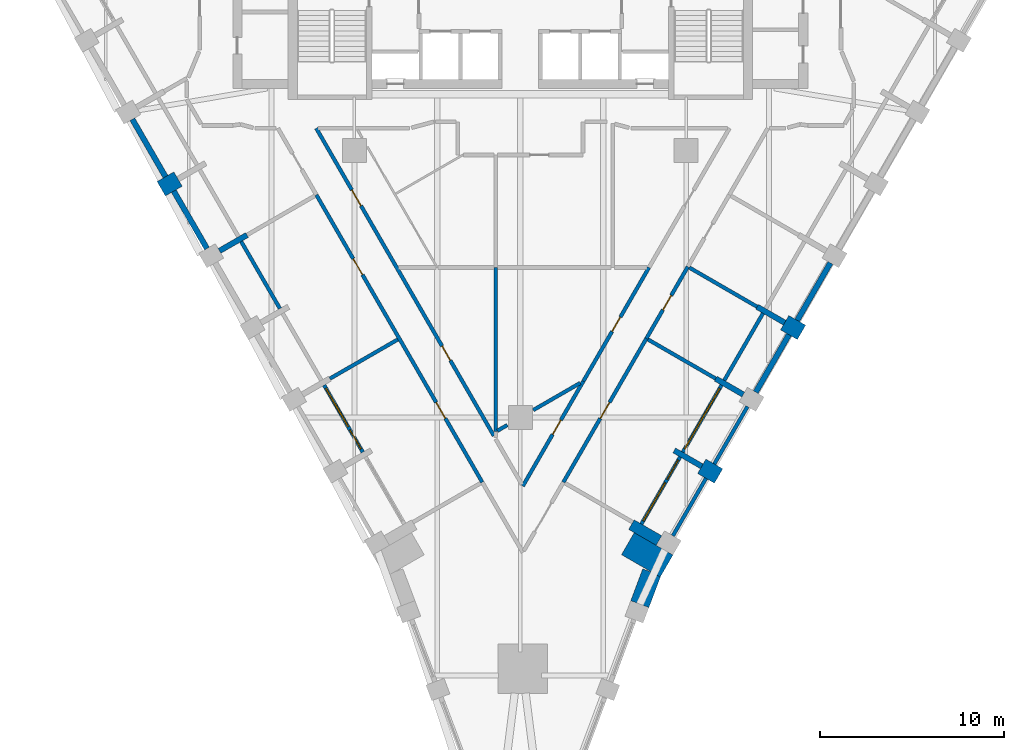
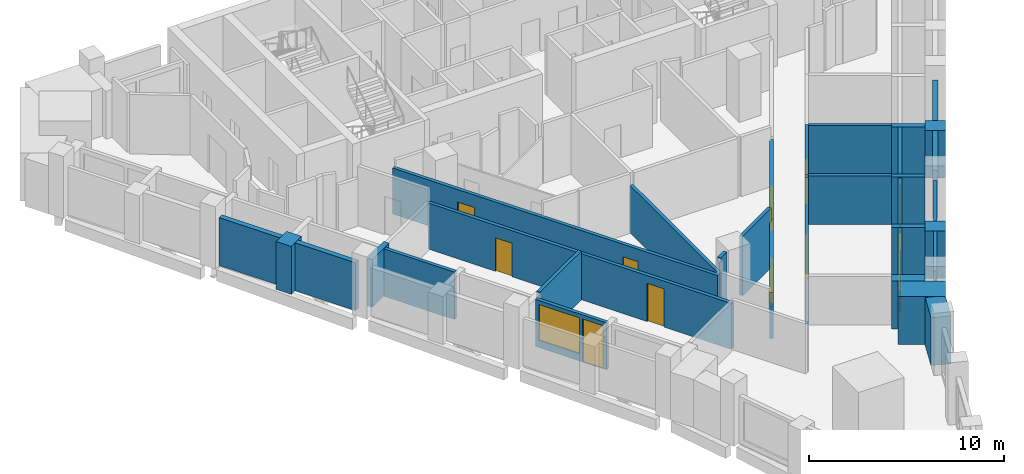
# One storey, part 3 of 9: 33 walls, 10 doors, 3 windows, 13 openings.
"""IFC4 building model written with IfcOpenShell, lengths in metres."""

import ifcopenshell
import ifcopenshell.guid

model = None  # the IFC model being written
_history = None  # IfcOwnerHistory: only IFC2X3 demands one
_inside = {}  # id of a spatial element -> (the spatial element, [elements in it])
_under = {}  # id of a project, library or spatial element -> (it, [spatial elements below it])
_declared = {}  # id of a project -> (the project, [libraries it declares])
_typed = {}  # id of a type object -> (the type object, [elements of that type])
_made_of = {}  # id of a material, layer set ... -> (it, [elements and type objects made of it])


def new_model(schema):
    """Start an empty IFC model of exactly this schema.

    Asked for "IFC4X3", IfcOpenShell would pick the latest addendum, in which some entities
    have other attributes; the version numbers below select the first issue.
    IFC2X3 requires an IfcOwnerHistory on every rooted entity: one is made here for all.
    """
    global model, _history
    if schema == "IFC4X3":
        model = ifcopenshell.file(schema_version=(4, 3, 0, 0))
    else:
        model = ifcopenshell.file(schema=schema)
    _inside.clear()
    _under.clear()
    _declared.clear()
    _typed.clear()
    _made_of.clear()
    _history = None
    if model.schema == "IFC2X3":
        org = make("IfcOrganization", Name="unknown")
        user = make(
            "IfcPersonAndOrganization",
            ThePerson=make("IfcPerson", FamilyName="unknown"),
            TheOrganization=org,
        )
        app = make(
            "IfcApplication",
            ApplicationDeveloper=org,
            Version="unknown",
            ApplicationFullName="unknown",
            ApplicationIdentifier="unknown",
        )
        _history = make(
            "IfcOwnerHistory",
            OwningUser=user,
            OwningApplication=app,
            ChangeAction="ADDED",
            CreationDate=0,
        )
    return model


def make(cls, **values):
    """One entity of the class cls with the attributes given. An attribute that is None is left unset."""
    return model.create_entity(
        cls, **{name: value for name, value in values.items() if value is not None}
    )


def rooted(cls, **values):
    """An entity with a GlobalId (a new one), such as an element, a storey or a relation."""
    return make(cls, GlobalId=ifcopenshell.guid.new(), OwnerHistory=_history, **values)


def si_unit(unit_type, name, prefix=None):
    """IfcSIUnit, for example si_unit("LENGTHUNIT", "METRE", prefix="MILLI")."""
    return make("IfcSIUnit", UnitType=unit_type, Prefix=prefix, Name=name)


def assignment(units):
    """IfcUnitAssignment: the units of a project."""
    return None if units is None else make("IfcUnitAssignment", Units=units)


def point(xyz):
    """IfcCartesianPoint."""
    return None if xyz is None else make("IfcCartesianPoint", Coordinates=xyz)


def direction(xyz):
    """IfcDirection."""
    return None if xyz is None else make("IfcDirection", DirectionRatios=xyz)


def frame(location, z_axis=None, x_axis=None):
    """IfcAxis2Placement3D, a coordinate frame: its origin and axes. An axis left out is left unset."""
    return make(
        "IfcAxis2Placement3D",
        Location=point(location),
        Axis=direction(z_axis),
        RefDirection=direction(x_axis),
    )


def frame_2d(location, x_axis=None):
    """IfcAxis2Placement2D, a coordinate frame in the plane: its origin and x axis."""
    return make(
        "IfcAxis2Placement2D", Location=point(location), RefDirection=direction(x_axis)
    )


def origin():
    """The frame at (0, 0, 0) with its axes left unset."""
    return frame((0.0, 0.0, 0.0))


def place(relative_to, where):
    """IfcLocalPlacement: puts the frame where relative to a parent placement (None: the world)."""
    return make(
        "IfcLocalPlacement", PlacementRelTo=relative_to, RelativePlacement=where
    )


def context(
    kind, dimensions, precision=None, world=None, true_north=None, identifier=None
):
    """IfcGeometricRepresentationContext, for example the 3D "Model" context."""
    return make(
        "IfcGeometricRepresentationContext",
        ContextIdentifier=identifier,
        ContextType=kind,
        CoordinateSpaceDimension=dimensions,
        Precision=precision,
        WorldCoordinateSystem=world,
        TrueNorth=true_north,
    )


def subcontext(parent, identifier, kind, view, scale=None):
    """IfcGeometricRepresentationSubContext, for example "Body" below "Model"."""
    return make(
        "IfcGeometricRepresentationSubContext",
        ContextIdentifier=identifier,
        ContextType=kind,
        ParentContext=parent,
        TargetScale=scale,
        TargetView=view,
    )


def project(units=None, contexts=None):
    """IfcProject with its units and contexts."""
    return rooted(
        "IfcProject",
        Name="project",
        RepresentationContexts=contexts,
        UnitsInContext=assignment(units),
    )


def spatial(cls, under=None, at=None, **own):
    """A site, building, storey or space (cls), placed at a placement, below another one or the project."""
    s = rooted(cls, ObjectPlacement=at, **own)
    if under is not None:
        _under.setdefault(under.id(), (under, []))[1].append(s)
    return s


def polyline(points):
    """IfcPolyline through the points."""
    return make("IfcPolyline", Points=[point(p) for p in points])


def profile(cls, at=None, kind="AREA", **sizes):
    """A parametric profile (cls). Its sizes go by their IFC names, for example OverallWidth=200.0."""
    return make(cls, ProfileType=kind, Position=at, **sizes)


def rectangle(**sizes):
    """IfcRectangleProfileDef."""
    return profile("IfcRectangleProfileDef", **sizes)


def outline(outer, holes=None, kind="AREA"):
    """IfcArbitraryClosedProfileDef: a profile drawn as a closed curve; with holes, ...WithVoids."""
    if holes is None:
        return make("IfcArbitraryClosedProfileDef", ProfileType=kind, OuterCurve=outer)
    return make(
        "IfcArbitraryProfileDefWithVoids",
        ProfileType=kind,
        OuterCurve=outer,
        InnerCurves=holes,
    )


def extrude(swept, where, along, depth):
    """IfcExtrudedAreaSolid: the profile swept, set in the frame where, extruded along a direction by depth."""
    return make(
        "IfcExtrudedAreaSolid",
        SweptArea=swept,
        Position=where,
        ExtrudedDirection=direction(along),
        Depth=depth,
    )


def shape(context_of_items, identifier, shape_type, items):
    """IfcShapeRepresentation: the items that make up one representation, for example the "Body"."""
    return make(
        "IfcShapeRepresentation",
        ContextOfItems=context_of_items,
        RepresentationIdentifier=identifier,
        RepresentationType=shape_type,
        Items=items,
    )


def material(Name=None, Category=None):
    """IfcMaterial."""
    return make("IfcMaterial", Name=Name, Category=Category)


def layer(
    of_material, thickness, ventilated=None, Name=None, Category=None, Priority=None
):
    """IfcMaterialLayer: one layer of a wall or slab, of a material (None: an air gap)."""
    return make(
        "IfcMaterialLayer",
        Material=of_material,
        LayerThickness=thickness,
        IsVentilated=ventilated,
        Name=Name,
        Category=Category,
        Priority=Priority,
    )


def layer_set(layers, Name=None):
    """IfcMaterialLayerSet."""
    return make("IfcMaterialLayerSet", MaterialLayers=layers, LayerSetName=Name)


def made_of(thing, what):
    """Note that an element or type object is made of a material, layer set ...; save() writes the relation."""
    if what is not None:
        _made_of.setdefault(what.id(), (what, []))[1].append(thing)
    return thing


def type_object(cls, material=None, **own):
    """A type object (cls), such as IfcWallType, which elements share."""
    return made_of(rooted(cls, **own), material)


def element(
    cls,
    number,
    at=None,
    inside=None,
    cuts=None,
    type_object=None,
    material=None,
    context=None,
    identifier="Body",
    shape_type=None,
    held_by="IfcProductDefinitionShape",
    body=None,
    shapes=None,
    **own,
):
    """One element of the class cls, such as IfcWall. Its Tag is "e" and its number.

    at: its placement. inside: the storey or other place that contains it. cuts: it is an
    opening in that element (IfcRelVoidsElement). A single representation is given by context,
    identifier, shape_type and body (its items); several are given by shapes. held_by: the class
    of the entity that holds the representations. save() writes the other relations.
    """
    e = rooted(cls, Tag="e%d" % number, ObjectPlacement=at, **own)
    if body is not None:
        shapes = [shape(context, identifier, shape_type, body)]
    if shapes is not None:
        e.Representation = make(held_by, Representations=shapes)
    if inside is not None:
        _inside.setdefault(inside.id(), (inside, []))[1].append(e)
    if cuts is not None:
        rooted(
            "IfcRelVoidsElement", RelatingBuildingElement=cuts, RelatedOpeningElement=e
        )
    if type_object is not None:
        _typed.setdefault(type_object.id(), (type_object, []))[1].append(e)
    return made_of(e, material)


def fill(opening, filler):
    """IfcRelFillsElement: the door or window that sits in an opening."""
    return rooted(
        "IfcRelFillsElement",
        RelatingOpeningElement=opening,
        RelatedBuildingElement=filler,
    )


def aggregate(whole, parts):
    """IfcRelAggregates: a whole, such as a stair, and the parts it consists of."""
    return rooted("IfcRelAggregates", RelatingObject=whole, RelatedObjects=parts)


def save(model, path):
    """Write the relations noted so far, then the file.

    IfcRelAggregates (storeys below a building ...), IfcRelContainedInSpatialStructure (elements
    in a storey), IfcRelDefinesByType, IfcRelAssociatesMaterial and IfcRelDeclares: one each for
    every whole, place, type object, material and project.
    """
    for whole, parts in _under.values():
        aggregate(whole, parts)
    for where, things in _inside.values():
        rooted(
            "IfcRelContainedInSpatialStructure",
            RelatedElements=things,
            RelatingStructure=where,
        )
    for kind, things in _typed.values():
        rooted("IfcRelDefinesByType", RelatedObjects=things, RelatingType=kind)
    for what, things in _made_of.values():
        rooted("IfcRelAssociatesMaterial", RelatedObjects=things, RelatingMaterial=what)
    for by, libraries in _declared.values():
        rooted("IfcRelDeclares", RelatingContext=by, RelatedDefinitions=libraries)
    model.write(path)


model = new_model("IFC4")

# Units and contexts
model_context = context("Model", 3, precision=1e-05, world=origin(), true_north=direction((0.0, 1.0)))
body_context = subcontext(model_context, "Body", "Model", "MODEL_VIEW")
ifc_project = project(units=[si_unit("LENGTHUNIT", "METRE"), si_unit("AREAUNIT", "SQUARE_METRE"), si_unit("VOLUMEUNIT", "CUBIC_METRE"), si_unit("PLANEANGLEUNIT", "RADIAN"), si_unit("MASSUNIT", "GRAM", prefix="KILO")], contexts=[model_context])

# Site, building, storey
site_placement = place(None, origin())
site = spatial("IfcSite", under=ifc_project, at=site_placement, CompositionType="ELEMENT")
building_placement = place(site_placement, origin())
building = spatial("IfcBuilding", under=site, at=building_placement, Name="Calabash Gate Tower", CompositionType="ELEMENT")
storey_placement = place(building_placement, frame((0.0, 0.0, 156.300048828125)))
storey = spatial("IfcBuildingStorey", under=building, at=storey_placement, Name="L36", CompositionType="ELEMENT", Elevation=156.300048828125)

# Walls
ifc_material_1 = material(Name="Terracotta brick masonry, exposed face", Category="masonry")
ifc_layer_1 = layer(ifc_material_1, 2.425048828125)
ifc_layer_set_1 = layer_set([ifc_layer_1], Name="Brick corner mass wall 2425")
wall_type_1 = type_object("IfcWallType", Name="Brick corner mass wall 2425", PredefinedType="SOLIDWALL", material=ifc_layer_set_1)
wall_1_placement = place(storey_placement, frame((5.837890625, -18.843994140625, 0.0), z_axis=(0.0, 0.0, 1.0), x_axis=(0.865997808697, -0.500047793048, 0.0)))
element("IfcWall", 1, at=wall_1_placement, inside=storey, type_object=wall_type_1, Name="Brick corner pier S10 2", PredefinedType="SOLIDWALL", context=body_context, shape_type="SweptSolid", body=[
    extrude(rectangle(XDim=2.425048828125, YDim=1.383544921875, at=frame_2d((1.21240234375, 0.0))), origin(), (0.0, 0.0, 1.0), 3.0),
])
ifc_material_2 = material(Name="Terracotta brick masonry, exposed face", Category="masonry")
ifc_layer_2 = layer(ifc_material_2, 1.050048828125)
ifc_layer_set_2 = layer_set([ifc_layer_2], Name="Brick end wall 1050")
wall_type_2 = type_object("IfcWallType", Name="Brick end wall 1050", PredefinedType="SOLIDWALL", material=ifc_layer_set_2)
wall_2_placement = place(storey_placement, frame((-19.48388671875, 0.417724609375, 0.0), z_axis=(0.0, 0.0, 1.0), x_axis=(0.86592997719, 0.500165247297, 0.0)))
element("IfcWall", 2, at=wall_2_placement, inside=storey, type_object=wall_type_2, Name="Brick pier S10 SW0.3", PredefinedType="SOLIDWALL", context=body_context, shape_type="SweptSolid", body=[
    extrude(rectangle(XDim=1.050048828125, YDim=0.89990234375, at=frame_2d((0.52490234375, 0.0))), origin(), (0.0, 0.0, 1.0), 3.0),
])
for number, where, z_axis, x_axis, name in (
    (3, (9.849609375, -14.645751953125, 0.0), (0.0, 0.0, 1.0), (0.866030680601, -0.499990860175, 0.0), "Brick pier S10 SE4.1"),
    (4, (14.349609375, -6.8515625, 0.0), (0.0, 0.0, 1.0), (0.866030680601, -0.499990860175, 0.0), "Brick pier S10 SE4.3"),
):
    element("IfcWall", number, at=place(storey_placement, frame(where, z_axis=z_axis, x_axis=x_axis)), inside=storey, type_object=wall_type_2, Name=name, PredefinedType="SOLIDWALL", context=body_context, shape_type="SweptSolid", body=[
        extrude(rectangle(XDim=1.0498046875, YDim=0.89990234375, at=frame_2d((0.52490234375, 0.0))), origin(), (0.0, 0.0, 1.0), 3.0),
    ])
wall_3_placement = place(storey_placement, origin())
element("IfcWall", 5, at=wall_3_placement, inside=storey, type_object=wall_type_2, Name="Brick end wall S10 3", PredefinedType="SOLIDWALL", context=body_context, shape_type="SweptSolid", body=[
    extrude(outline(polyline([(6.978759765625, -22.307373046875), (6.978515625, -22.307861328125), (6.978759765625, -22.307861328125), (7.61376953125, -20.618408203125), (7.592041015625, -20.65576171875), (7.137451171875, -20.393310546875), (6.64599609375, -20.20849609375), (5.995849609375, -21.93798828125), (6.978759765625, -22.307373046875)])), origin(), (0.0, 0.0, 1.0), 3.0),
])
ifc_material_3 = material(Name="Terracotta brick masonry, exposed face", Category="masonry")
ifc_layer_3 = layer(ifc_material_3, 0.300048828125)
ifc_layer_set_3 = layer_set([ifc_layer_3], Name="Brick infill panel wall 300")
wall_type_3 = type_object("IfcWallType", Name="Brick infill panel wall 300", PredefinedType="SOLIDWALL", material=ifc_layer_set_3)
wall_4_placement = place(storey_placement, frame((-19.25439453125, 1.070068359375, 0.0), z_axis=(0.0, 0.0, 1.0), x_axis=(-0.499969057507, 0.866043267704, 0.0)))
element("IfcWall", 6, at=wall_4_placement, inside=storey, type_object=wall_type_3, Name="Brick panel S10 SW0.3", PredefinedType="SOLIDWALL", context=body_context, shape_type="SweptSolid", body=[
    extrude(rectangle(XDim=3.599365234375, YDim=0.300048828125, at=frame_2d((1.7998046875, 0.0))), origin(), (0.0, 0.0, 1.0), 3.0),
])
wall_5_placement = place(storey_placement, frame((-18.80419921875, 0.29052734375, 0.0), z_axis=(0.0, 0.0, 1.0), x_axis=(0.499961193289, -0.866047807691, 0.0)))
element("IfcWall", 7, at=wall_5_placement, inside=storey, type_object=wall_type_3, Name="Brick panel S10 SW0.4", PredefinedType="SOLIDWALL", context=body_context, shape_type="SweptSolid", body=[
    extrude(rectangle(XDim=3.599853515625, YDim=0.300048828125, at=frame_2d((1.7998046875, 0.0))), origin(), (0.0, 0.0, 1.0), 3.0),
])
wall_6_placement = place(storey_placement, frame((12.779296875, -10.621337890625, 0.0), z_axis=(0.0, 0.0, 1.0), x_axis=(0.500012057535, 0.866018442252, 0.0)))
element("IfcWall", 8, at=wall_6_placement, inside=storey, type_object=wall_type_3, Name="Brick panel S10 SE4.3", PredefinedType="SOLIDWALL", context=body_context, shape_type="SweptSolid", body=[
    extrude(rectangle(XDim=3.60009765625, YDim=0.300048828125, at=frame_2d((1.800048828125, 0.0))), origin(), (0.0, 0.0, 1.0), 3.0),
])
wall_7_placement = place(storey_placement, frame((15.029296875, -6.724365234375, 0.0), z_axis=(0.0, 0.0, 1.0), x_axis=(0.499982693035, 0.866035395735, 0.0)))
element("IfcWall", 9, at=wall_7_placement, inside=storey, type_object=wall_type_3, Name="Brick panel S10 SE4.4", PredefinedType="SOLIDWALL", context=body_context, shape_type="SweptSolid", body=[
    extrude(rectangle(XDim=3.600341796875, YDim=0.300048828125, at=frame_2d((1.80029296875, 0.0))), origin(), (0.0, 0.0, 1.0), 3.0),
])
ifc_material_4 = material(Name="Terracotta brick masonry, exposed face", Category="masonry")
ifc_layer_4 = layer(ifc_material_4, 0.300048828125)
ifc_layer_set_4 = layer_set([ifc_layer_4], Name="Brick loggia cheek wall 300")
wall_type_4 = type_object("IfcWallType", Name="Brick loggia cheek wall 300", PredefinedType="SOLIDWALL", material=ifc_layer_set_4)
wall_8_placement = place(storey_placement, frame((-16.324462890625, -2.954345703125, 0.0), z_axis=(0.0, 0.0, 1.0), x_axis=(0.86597814115, 0.500081852351, 0.0)))
element("IfcWall", 10, at=wall_8_placement, inside=storey, type_object=wall_type_4, Name="Loggia cheek S10 SW0.4", PredefinedType="SOLIDWALL", context=body_context, shape_type="SweptSolid", body=[
    extrude(rectangle(XDim=1.724853515625, YDim=0.300048828125, at=frame_2d((0.8623046875, 0.0))), origin(), (0.0, 0.0, 1.0), 3.0),
])
wall_9_placement = place(storey_placement, frame((7.524658203125, -18.672607421875, 0.0), z_axis=(0.0, 0.0, 1.0), x_axis=(-0.866074815912, 0.499914405916, 0.0)))
element("IfcWall", 11, at=wall_9_placement, inside=storey, type_object=wall_type_4, Name="Loggia cheek S10 SE4.0", PredefinedType="SOLIDWALL", context=body_context, shape_type="SweptSolid", body=[
    extrude(rectangle(XDim=1.724853515625, YDim=0.60009765625, at=frame_2d((0.8623046875, 0.0))), origin(), (0.0, 0.0, 1.0), 3.0),
])
wall_10_placement = place(storey_placement, frame((8.355712890625, -13.783203125, 0.0), z_axis=(0.0, 0.0, 1.0), x_axis=(0.866013532718, -0.500020560727, 0.0)))
element("IfcWall", 12, at=wall_10_placement, inside=storey, type_object=wall_type_4, Name="Loggia cheek S10 SE4.1", PredefinedType="SOLIDWALL", context=body_context, shape_type="SweptSolid", body=[
    extrude(rectangle(XDim=1.72509765625, YDim=0.300048828125, at=frame_2d((0.862548828125, 0.0))), origin(), (0.0, 0.0, 1.0), 3.0),
])
wall_11_placement = place(storey_placement, frame((12.099365234375, -10.74853515625, 0.0), z_axis=(0.0, 0.0, 1.0), x_axis=(-0.86597814115, 0.500081852351, 0.0)))
element("IfcWall", 13, at=wall_11_placement, inside=storey, type_object=wall_type_4, Name="Loggia cheek S10 SE4.2", PredefinedType="SOLIDWALL", context=body_context, shape_type="SweptSolid", body=[
    extrude(rectangle(XDim=1.724853515625, YDim=0.300048828125, at=frame_2d((0.8623046875, 0.0))), origin(), (0.0, 0.0, 1.0), 3.0),
])
wall_12_placement = place(storey_placement, frame((14.349609375, -6.8515625, 0.0), z_axis=(0.0, 0.0, 1.0), x_axis=(-0.866013532718, 0.500020560727, 0.0)))
element("IfcWall", 14, at=wall_12_placement, inside=storey, type_object=wall_type_4, Name="Loggia cheek S10 SE4.3", PredefinedType="SOLIDWALL", context=body_context, shape_type="SweptSolid", body=[
    extrude(rectangle(XDim=1.72509765625, YDim=0.300048828125, at=frame_2d((0.862548828125, 0.0))), origin(), (0.0, 0.0, 1.0), 3.0),
])

# Wall, opening, door
ifc_material_5 = material(Name="Gypsum board on steel studs, mineral wool", Category="steel")
ifc_layer_5 = layer(ifc_material_5, 0.199951171875)
ifc_layer_set_5 = layer_set([ifc_layer_5], Name="Partition 200 gypsum board EI 60")
wall_type_5 = type_object("IfcWallType", Name="Partition 200 gypsum board EI 60", PredefinedType="PARTITIONING", material=ifc_layer_set_5)
wall_13_placement = place(storey_placement, frame((0.137451171875, -15.71728515625, 0.0), z_axis=(0.0, 0.0, 1.0), x_axis=(0.499742818956, 0.866173836422, 0.0)))
wall_13 = element("IfcWall", 15, at=wall_13_placement, inside=storey, type_object=wall_type_5, Name="Partition", PredefinedType="PARTITIONING", context=body_context, shape_type="SweptSolid", body=[
    extrude(rectangle(XDim=6.57275390625, YDim=0.199951171875, at=frame_2d((3.286376953125, 0.0))), origin(), (0.0, 0.0, 1.0), 2.884033203125),
])
opening_1_placement = place(wall_13_placement, frame((3.23779296875, 0.0, 0.0)))
opening_1 = element("IfcOpeningElement", 16, at=opening_1_placement, cuts=wall_13, Name="Opening 36-38-009", PredefinedType="OPENING", context=body_context, shape_type="SweptSolid", body=[
    extrude(rectangle(XDim=0.89990234375, YDim=2.10009765625, at=frame_2d((0.449951171875, 1.050048828125))), frame((0.0, 0.10986328125, 0.0), z_axis=(0.0, -1.0, 0.0), x_axis=(1.0, 0.0, 0.0)), (0.0, 0.0, 1.0), 0.219970703125),
])
ifc_material_6 = material(Name="Steel fire door set with fire-resisting glazing", Category="steel")
door_type_1 = type_object("IfcDoorType", Name="SD3 Store door 900x2100", OperationType="NOTDEFINED", PredefinedType="DOOR", material=ifc_material_6)
door_1_placement = place(opening_1_placement, origin())
door_1 = element("IfcDoor", 17, at=door_1_placement, inside=storey, type_object=door_type_1, Name="Store door", OperationType="SINGLE_SWING_RIGHT", OverallHeight=2.10009765625, OverallWidth=0.89990234375, PredefinedType="DOOR", context=body_context, shape_type="SweptSolid", body=[
    extrude(rectangle(XDim=0.89990234375, YDim=2.10009765625, at=frame_2d((0.449951171875, 1.050048828125))), frame((0.0, 0.02490234375, 0.0), z_axis=(0.0, -1.0, 0.0), x_axis=(1.0, 0.0, 0.0)), (0.0, 0.0, 1.0), 0.050048828125),
])
fill(opening_1, door_1)

# Wall, openings, doors
wall_14_placement = place(storey_placement, frame((-11.065185546875, 0.082275390625, 0.0), z_axis=(0.0, 0.0, 1.0), x_axis=(0.499996012009, -0.86602770624, 0.0)))
wall_14 = element("IfcWall", 18, at=wall_14_placement, inside=storey, type_object=wall_type_5, Name="Partition", PredefinedType="PARTITIONING", context=body_context, shape_type="SweptSolid", body=[
    extrude(rectangle(XDim=18.000244140625, YDim=0.199951171875, at=frame_2d((9.0, 0.0))), origin(), (0.0, 0.0, 1.0), 2.884033203125),
])
opening_2_placement = place(wall_14_placement, frame((4.0, 0.0, 0.0)))
opening_2 = element("IfcOpeningElement", 19, at=opening_2_placement, cuts=wall_14, Name="Opening 36-38-001", PredefinedType="OPENING", context=body_context, shape_type="SweptSolid", body=[
    extrude(rectangle(XDim=1.0, YDim=2.10009765625, at=frame_2d((0.5, 1.050048828125))), frame((0.0, 0.10986328125, 0.0), z_axis=(0.0, -1.0, 0.0), x_axis=(1.0, 0.0, 0.0)), (0.0, 0.0, 1.0), 0.219970703125),
])
opening_3_placement = place(wall_14_placement, frame((13.000244140625, 0.0, 0.0)))
opening_3 = element("IfcOpeningElement", 20, at=opening_3_placement, cuts=wall_14, Name="Opening 36-38-002", PredefinedType="OPENING", context=body_context, shape_type="SweptSolid", body=[
    extrude(rectangle(XDim=1.0, YDim=2.39990234375, at=frame_2d((0.5, 1.199951171875))), frame((0.0, 0.10986328125, 0.0), z_axis=(0.0, -1.0, 0.0), x_axis=(1.0, 0.0, 0.0)), (0.0, 0.0, 1.0), 0.219970703125),
])
ifc_material_7 = material(Name="Steel fire door set with fire-resisting glazing", Category="steel")
door_type_2 = type_object("IfcDoorType", Name="LD2 Meeting room door 1000x2100", OperationType="NOTDEFINED", PredefinedType="DOOR", material=ifc_material_7)
door_2_placement = place(opening_2_placement, origin())
door_2 = element("IfcDoor", 21, at=door_2_placement, inside=storey, type_object=door_type_2, Name="Meeting room door", OperationType="SINGLE_SWING_LEFT", OverallHeight=2.10009765625, OverallWidth=1.0, PredefinedType="DOOR", context=body_context, shape_type="SweptSolid", body=[
    extrude(rectangle(XDim=1.0, YDim=2.10009765625, at=frame_2d((0.5, 1.050048828125))), frame((0.0, 0.02490234375, 0.0), z_axis=(0.0, -1.0, 0.0), x_axis=(1.0, 0.0, 0.0)), (0.0, 0.0, 1.0), 0.050048828125),
])
fill(opening_2, door_2)
ifc_material_8 = material(Name="Painted timber door", Category="wood")
door_type_3 = type_object("IfcDoorType", Name="OD2 Glazed office door 1000x2400", OperationType="NOTDEFINED", PredefinedType="DOOR", material=ifc_material_8)
door_3_placement = place(opening_3_placement, origin())
door_3 = element("IfcDoor", 22, at=door_3_placement, inside=storey, type_object=door_type_3, Name="Glazed office door", OperationType="SINGLE_SWING_LEFT", OverallHeight=2.39990234375, OverallWidth=1.0, PredefinedType="DOOR", context=body_context, shape_type="SweptSolid", body=[
    extrude(rectangle(XDim=1.0, YDim=2.39990234375, at=frame_2d((0.5, 1.199951171875))), frame((0.0, 0.02490234375, 0.0), z_axis=(0.0, -1.0, 0.0), x_axis=(1.0, 0.0, 0.0)), (0.0, 0.0, 1.0), 0.050048828125),
])
fill(opening_3, door_3)

# Walls
wall_15_placement = place(storey_placement, frame((-1.244873046875, -12.716796875, 0.0), z_axis=(0.0, 0.0, 1.0), x_axis=(0.867141243483, 0.498062309205, 0.0)))
element("IfcWall", 23, at=wall_15_placement, inside=storey, type_object=wall_type_5, Name="Partition", PredefinedType="PARTITIONING", context=body_context, shape_type="SweptSolid", body=[
    extrude(rectangle(XDim=0.62841796875, YDim=0.199951171875, at=frame_2d((0.314208984375, 0.0))), origin(), (0.0, 0.0, 1.0), 3.72998046875),
])
wall_16_placement = place(storey_placement, frame((0.699951171875, -11.595703125, 0.0), z_axis=(0.0, 0.0, 1.0), x_axis=(0.866014325049, 0.500019188443, 0.0)))
element("IfcWall", 24, at=wall_16_placement, inside=storey, type_object=wall_type_5, Name="Partition", PredefinedType="PARTITIONING", context=body_context, shape_type="SweptSolid", body=[
    extrude(rectangle(XDim=2.94384765625, YDim=0.199951171875, at=frame_2d((1.471923828125, 0.0))), origin(), (0.0, 0.0, 1.0), 3.72998046875),
])

# Wall, opening, door
wall_17_placement = place(storey_placement, frame((3.425537109375, -10.02197265625, 0.0), z_axis=(0.0, 0.0, 1.0), x_axis=(0.499791742778, 0.866145607765, 0.0)))
wall_17 = element("IfcWall", 25, at=wall_17_placement, inside=storey, type_object=wall_type_5, Name="Partition", PredefinedType="PARTITIONING", context=body_context, shape_type="SweptSolid", body=[
    extrude(rectangle(XDim=7.1171875, YDim=0.199951171875, at=frame_2d((3.55859375, 0.0))), origin(), (0.0, 0.0, 1.0), 2.884033203125),
])
opening_4_placement = place(wall_17_placement, frame((3.110107421875, 0.0, 0.0)))
opening_4 = element("IfcOpeningElement", 26, at=opening_4_placement, cuts=wall_17, Name="Opening 36-38-010", PredefinedType="OPENING", context=body_context, shape_type="SweptSolid", body=[
    extrude(rectangle(XDim=0.89990234375, YDim=2.10009765625, at=frame_2d((0.449951171875, 1.050048828125))), frame((0.0, 0.10986328125, 0.0), z_axis=(0.0, -1.0, 0.0), x_axis=(1.0, 0.0, 0.0)), (0.0, 0.0, 1.0), 0.219970703125),
])
door_4_placement = place(opening_4_placement, origin())
door_4 = element("IfcDoor", 27, at=door_4_placement, inside=storey, type_object=door_type_1, Name="Store door", OperationType="SINGLE_SWING_RIGHT", OverallHeight=2.10009765625, OverallWidth=0.89990234375, PredefinedType="DOOR", context=body_context, shape_type="SweptSolid", body=[
    extrude(rectangle(XDim=0.89990234375, YDim=2.10009765625, at=frame_2d((0.449951171875, 1.050048828125))), frame((0.0, 0.02490234375, 0.0), z_axis=(0.0, -1.0, 0.0), x_axis=(1.0, 0.0, 0.0)), (0.0, 0.0, 1.0), 0.050048828125),
])
fill(opening_4, door_4)

# Walls
wall_18_placement = place(storey_placement, frame((-10.330810546875, -9.88623046875, 0.0), z_axis=(0.0, 0.0, 1.0), x_axis=(0.866245832331, 0.499618012055, 0.0)))
element("IfcWall", 28, at=wall_18_placement, inside=storey, type_object=wall_type_5, Name="Partition", PredefinedType="PARTITIONING", context=body_context, shape_type="SweptSolid", body=[
    extrude(rectangle(XDim=4.249755859375, YDim=0.199951171875, at=frame_2d((2.125, 0.0))), origin(), (0.0, 0.0, 1.0), 3.0517578125),
])
wall_19_placement = place(storey_placement, frame((6.927734375, -7.760498046875, 0.0), z_axis=(0.0, 0.0, 1.0), x_axis=(0.86582081126, -0.500354197333, 0.0)))
element("IfcWall", 29, at=wall_19_placement, inside=storey, type_object=wall_type_5, Name="Partition", PredefinedType="PARTITIONING", context=body_context, shape_type="SweptSolid", body=[
    extrude(rectangle(XDim=4.248046875, YDim=0.199951171875, at=frame_2d((2.1240234375, 0.0))), origin(), (0.0, 0.0, 1.0), 3.0517578125),
])

# Wall, opening, door
wall_20_placement = place(storey_placement, frame((2.340087890625, -15.50634765625, 0.0), z_axis=(0.0, 0.0, 1.0), x_axis=(0.5000018851, 0.866024315419, 0.0)))
wall_20 = element("IfcWall", 30, at=wall_20_placement, inside=storey, type_object=wall_type_5, Name="Partition", PredefinedType="PARTITIONING", context=body_context, shape_type="SweptSolid", body=[
    extrude(rectangle(XDim=9.0, YDim=0.199951171875, at=frame_2d((4.5, 0.0))), origin(), (0.0, 0.0, 1.0), 2.884033203125),
])
opening_5_placement = place(wall_20_placement, frame((4.0, 0.0, 0.0)))
opening_5 = element("IfcOpeningElement", 31, at=opening_5_placement, cuts=wall_20, Name="Opening 36-38-003", PredefinedType="OPENING", context=body_context, shape_type="SweptSolid", body=[
    extrude(rectangle(XDim=1.0, YDim=2.10009765625, at=frame_2d((0.5, 1.050048828125))), frame((0.0, 0.10986328125, 0.0), z_axis=(0.0, -1.0, 0.0), x_axis=(1.0, 0.0, 0.0)), (0.0, 0.0, 1.0), 0.219970703125),
])
door_5_placement = place(opening_5_placement, origin())
door_5 = element("IfcDoor", 32, at=door_5_placement, inside=storey, type_object=door_type_2, Name="Meeting room door", OperationType="SINGLE_SWING_RIGHT", OverallHeight=2.10009765625, OverallWidth=1.0, PredefinedType="DOOR", context=body_context, shape_type="SweptSolid", body=[
    extrude(rectangle(XDim=1.0, YDim=2.10009765625, at=frame_2d((0.5, 1.050048828125))), frame((0.0, 0.02490234375, 0.0), z_axis=(0.0, -1.0, 0.0), x_axis=(1.0, 0.0, 0.0)), (0.0, 0.0, 1.0), 0.050048828125),
])
fill(opening_5, door_5)

# Walls
wall_21_placement = place(storey_placement, frame((-1.33154296875, -12.7666015625, 0.0), z_axis=(0.0, 0.0, 1.0), x_axis=(0.0, 1.0, 0.0)))
element("IfcWall", 33, at=wall_21_placement, inside=storey, type_object=wall_type_5, Name="Partition", PredefinedType="PARTITIONING", context=body_context, shape_type="SweptSolid", body=[
    extrude(rectangle(XDim=8.9091796875, YDim=0.199951171875, at=frame_2d((4.45458984375, 0.0))), origin(), (0.0, 0.0, 1.0), 2.949951171875),
])
wall_22_placement = place(storey_placement, frame((9.17626953125, -3.8623046875, 0.0), z_axis=(0.0, 0.0, 1.0), x_axis=(0.865807555134, -0.500377135241, 0.0)))
element("IfcWall", 34, at=wall_22_placement, inside=storey, type_object=wall_type_5, Name="Partition", PredefinedType="PARTITIONING", context=body_context, shape_type="SweptSolid", body=[
    extrude(rectangle(XDim=4.249755859375, YDim=0.199951171875, at=frame_2d((2.125, 0.0))), origin(), (0.0, 0.0, 1.0), 3.0517578125),
])

# Wall, opening, door
wall_23_placement = place(storey_placement, frame((6.84130859375, -7.710205078125, 0.0), z_axis=(0.0, 0.0, 1.0), x_axis=(0.499974615194, 0.866040059213, 0.0)))
wall_23 = element("IfcWall", 35, at=wall_23_placement, inside=storey, type_object=wall_type_5, Name="Partition", PredefinedType="PARTITIONING", context=body_context, shape_type="SweptSolid", body=[
    extrude(rectangle(XDim=4.497802734375, YDim=0.199951171875, at=frame_2d((2.2490234375, 0.0))), origin(), (0.0, 0.0, 1.0), 3.0517578125),
])
opening_6_placement = place(wall_23_placement, frame((1.798095703125, 0.0, 0.0)))
opening_6 = element("IfcOpeningElement", 36, at=opening_6_placement, cuts=wall_23, Name="Opening 36-38-004", PredefinedType="OPENING", context=body_context, shape_type="SweptSolid", body=[
    extrude(rectangle(XDim=0.89990234375, YDim=2.10009765625, at=frame_2d((0.449951171875, 1.050048828125))), frame((0.0, 0.10986328125, 0.0), z_axis=(0.0, -1.0, 0.0), x_axis=(1.0, 0.0, 0.0)), (0.0, 0.0, 1.0), 0.219970703125),
])
door_6_placement = place(opening_6_placement, origin())
door_6 = element("IfcDoor", 37, at=door_6_placement, inside=storey, type_object=door_type_1, Name="Store door", OperationType="SINGLE_SWING_RIGHT", OverallHeight=2.10009765625, OverallWidth=0.89990234375, PredefinedType="DOOR", context=body_context, shape_type="SweptSolid", body=[
    extrude(rectangle(XDim=0.89990234375, YDim=2.10009765625, at=frame_2d((0.449951171875, 1.050048828125))), frame((0.0, 0.02490234375, 0.0), z_axis=(0.0, -1.0, 0.0), x_axis=(1.0, 0.0, 0.0)), (0.0, 0.0, 1.0), 0.050048828125),
])
fill(opening_6, door_6)

# Wall, openings, doors
wall_24_placement = place(storey_placement, frame((-11.072998046875, 3.69970703125, 0.0), z_axis=(0.0, 0.0, 1.0), x_axis=(0.50018368245, -0.865919328697, 0.0)))
wall_24 = element("IfcWall", 38, at=wall_24_placement, inside=storey, type_object=wall_type_5, Name="Partition", PredefinedType="PARTITIONING", context=body_context, shape_type="SweptSolid", body=[
    extrude(rectangle(XDim=19.273681640625, YDim=0.199951171875, at=frame_2d((9.63671875, 0.0))), origin(), (0.0, 0.0, 1.0), 2.884033203125),
])
opening_7_placement = place(wall_24_placement, frame((13.6513671875, 0.0, 0.0)))
opening_7 = element("IfcOpeningElement", 39, at=opening_7_placement, cuts=wall_24, Name="Opening 36-38-008", PredefinedType="OPENING", context=body_context, shape_type="SweptSolid", body=[
    extrude(rectangle(XDim=0.89990234375, YDim=2.10009765625, at=frame_2d((0.449951171875, 1.050048828125))), frame((0.0, 0.10986328125, 0.0), z_axis=(0.0, -1.0, 0.0), x_axis=(1.0, 0.0, 0.0)), (0.0, 0.0, 1.0), 0.219970703125),
])
opening_8_placement = place(wall_24_placement, frame((3.862060546875, 0.0, 0.0)))
opening_8 = element("IfcOpeningElement", 40, at=opening_8_placement, cuts=wall_24, Name="Opening 36-38-016", PredefinedType="OPENING", context=body_context, shape_type="SweptSolid", body=[
    extrude(rectangle(XDim=1.0, YDim=2.10009765625, at=frame_2d((0.5, 1.050048828125))), frame((0.0, 0.10986328125, 0.0), z_axis=(0.0, -1.0, 0.0), x_axis=(1.0, 0.0, 0.0)), (0.0, 0.0, 1.0), 0.219970703125),
])
door_7_placement = place(opening_7_placement, origin())
door_7 = element("IfcDoor", 41, at=door_7_placement, inside=storey, type_object=door_type_1, Name="Store door", OperationType="SINGLE_SWING_RIGHT", OverallHeight=2.10009765625, OverallWidth=0.89990234375, PredefinedType="DOOR", context=body_context, shape_type="SweptSolid", body=[
    extrude(rectangle(XDim=0.89990234375, YDim=2.10009765625, at=frame_2d((0.449951171875, 1.050048828125))), frame((0.0, 0.02490234375, 0.0), z_axis=(0.0, -1.0, 0.0), x_axis=(1.0, 0.0, 0.0)), (0.0, 0.0, 1.0), 0.050048828125),
])
fill(opening_7, door_7)
ifc_material_9 = material(Name="Steel fire door set with fire-resisting glazing", Category="steel")
door_type_4 = type_object("IfcDoorType", Name="WD3 WC lobby door 1000x2100", OperationType="NOTDEFINED", PredefinedType="DOOR", material=ifc_material_9)
door_8_placement = place(opening_8_placement, origin())
door_8 = element("IfcDoor", 42, at=door_8_placement, inside=storey, type_object=door_type_4, Name="WC lobby door", OperationType="SINGLE_SWING_LEFT", OverallHeight=2.10009765625, OverallWidth=1.0, PredefinedType="DOOR", context=body_context, shape_type="SweptSolid", body=[
    extrude(rectangle(XDim=1.0, YDim=2.10009765625, at=frame_2d((0.5, 1.050048828125))), frame((0.0, 0.02490234375, 0.0), z_axis=(0.0, -1.0, 0.0), x_axis=(1.0, 0.0, 0.0)), (0.0, 0.0, 1.0), 0.050048828125),
])
fill(opening_8, door_8)

# Walls
ifc_material_10 = material(Name="Terracotta brick masonry, perforated", Category="masonry")
ifc_layer_6 = layer(ifc_material_10, 0.199951171875)
ifc_layer_set_6 = layer_set([ifc_layer_6], Name="Terracotta jaali screen B")
wall_type_6 = type_object("IfcWallType", Name="Terracotta jaali screen B", PredefinedType="SOLIDWALL", material=ifc_layer_set_6)
wall_25_placement = place(storey_placement, origin())
element("IfcWall", 43, at=wall_25_placement, inside=storey, type_object=wall_type_6, Name="SCREEN B S10 SE4.1", PredefinedType="SOLIDWALL", context=body_context, shape_type="SweptSolid", body=[
    extrude(outline(polyline([(9.99267578125, -15.247802734375), (8.193603515625, -18.364013671875), (8.36669921875, -18.4638671875), (10.165771484375, -15.347900390625), (9.99267578125, -15.247802734375)])), origin(), (0.0, 0.0, 1.0), 3.0),
])
wall_26_placement = place(storey_placement, frame((10.529296875, -14.5185546875, 0.0), z_axis=(0.0, 0.0, 1.0), x_axis=(0.500012057535, 0.866018442252, 0.0)))
element("IfcWall", 44, at=wall_26_placement, inside=storey, type_object=wall_type_6, Name="SCREEN B S10 SE4.2", PredefinedType="SOLIDWALL", context=body_context, shape_type="SweptSolid", body=[
    extrude(rectangle(XDim=3.60009765625, YDim=0.199951171875, at=frame_2d((1.800048828125, 0.0))), origin(), (0.0, 0.0, 1.0), 3.0),
])
ifc_material_11 = material(Name="Aluminium framed window wall with insulated spandrel", Category="aluminium")
ifc_layer_7 = layer(ifc_material_11, 0.199951171875)
ifc_layer_set_7 = layer_set([ifc_layer_7], Name="Window wall 200")
wall_type_7 = type_object("IfcWallType", Name="Window wall 200", PredefinedType="ELEMENTEDWALL", material=ifc_layer_set_7)
wall_27_placement = place(storey_placement, frame((-15.1455078125, -2.44677734375, 0.0), z_axis=(0.0, 0.0, 1.0), x_axis=(0.500027713859, -0.866009402589, 0.0)))
element("IfcWall", 45, at=wall_27_placement, inside=storey, type_object=wall_type_7, Name="Window wall S10 SW0.5", PredefinedType="ELEMENTEDWALL", context=body_context, shape_type="SweptSolid", body=[
    extrude(rectangle(XDim=4.199951171875, YDim=0.199951171875, at=frame_2d((2.10009765625, 0.0))), origin(), (0.0, 0.0, 1.0), 2.973388671875),
])

# Wall, openings, door, window
wall_28_placement = place(storey_placement, frame((-10.6455078125, -10.240966796875, 0.0), z_axis=(0.0, 0.0, 1.0), x_axis=(0.500027713859, -0.866009402589, 0.0)))
wall_28 = element("IfcWall", 46, at=wall_28_placement, inside=storey, type_object=wall_type_7, Name="Window wall S10 SW0.7", PredefinedType="ELEMENTEDWALL", context=body_context, shape_type="SweptSolid", body=[
    extrude(rectangle(XDim=4.199951171875, YDim=0.199951171875, at=frame_2d((2.10009765625, 0.0))), origin(), (0.0, 0.0, 1.0), 2.949951171875),
])
opening_9_placement = place(wall_28_placement, frame((0.199951171875, 0.0, 0.449951171875)))
opening_9 = element("IfcOpeningElement", 47, at=opening_9_placement, cuts=wall_28, Name="Opening OW1", PredefinedType="OPENING", context=body_context, shape_type="SweptSolid", body=[
    extrude(rectangle(XDim=2.39990234375, YDim=2.25, at=frame_2d((1.199951171875, 1.125))), frame((0.0, 0.10986328125, 0.0), z_axis=(0.0, -1.0, 0.0), x_axis=(1.0, 0.0, 0.0)), (0.0, 0.0, 1.0), 0.219970703125),
])
opening_10_placement = place(wall_28_placement, frame((2.800048828125, 0.0, 0.0)))
opening_10 = element("IfcOpeningElement", 48, at=opening_10_placement, cuts=wall_28, Name="Opening O2-023", PredefinedType="OPENING", context=body_context, shape_type="SweptSolid", body=[
    extrude(rectangle(XDim=1.199951171875, YDim=2.699951171875, at=frame_2d((0.60009765625, 1.35009765625))), frame((0.0, 0.10986328125, 0.0), z_axis=(0.0, -1.0, 0.0), x_axis=(1.0, 0.0, 0.0)), (0.0, 0.0, 1.0), 0.219970703125),
])
ifc_material_12 = material(Name="Anodised aluminium frame, bronze finish, impact-rated laminated clear glazing", Category="aluminium")
door_type_5 = type_object("IfcDoorType", Name="Loggia door DO1 1200x2700", OperationType="SLIDING_TO_LEFT", PredefinedType="DOOR", material=ifc_material_12)
door_9_placement = place(opening_10_placement, origin())
door_9 = element("IfcDoor", 49, at=door_9_placement, inside=storey, type_object=door_type_5, Name="Loggia door S10 SW0.7", OperationType="SINGLE_SWING_LEFT", OverallHeight=2.699951171875, OverallWidth=1.199951171875, PredefinedType="DOOR", context=body_context, shape_type="SweptSolid", body=[
    extrude(rectangle(XDim=1.199951171875, YDim=2.699951171875, at=frame_2d((0.60009765625, 1.35009765625))), frame((0.0, 0.02490234375, 0.0), z_axis=(0.0, -1.0, 0.0), x_axis=(1.0, 0.0, 0.0)), (0.0, 0.0, 1.0), 0.050048828125),
])
fill(opening_10, door_9)
ifc_material_13 = material(Name="Anodised aluminium frame, bronze finish, impact-rated laminated clear glazing", Category="aluminium")
window_type_1 = type_object("IfcWindowType", Name="Window OW1 2400x2250", PartitioningType="DOUBLE_PANEL_VERTICAL", PredefinedType="WINDOW", material=ifc_material_13)
window_1_placement = place(opening_9_placement, origin())
window_1 = element("IfcWindow", 50, at=window_1_placement, inside=storey, type_object=window_type_1, Name="Window OW1 S10 SW0.7", OverallHeight=2.25, OverallWidth=2.39990234375, PartitioningType="SINGLE_PANEL", PredefinedType="WINDOW", context=body_context, shape_type="SweptSolid", body=[
    extrude(rectangle(XDim=2.39990234375, YDim=2.25, at=frame_2d((1.199951171875, 1.125))), frame((0.0, 0.030029296875, 0.0), z_axis=(0.0, -1.0, 0.0), x_axis=(1.0, 0.0, 0.0)), (0.0, 0.0, 1.0), 0.06005859375),
])
fill(opening_9, window_1)

wall_29_placement = place(storey_placement, frame((6.5703125, -17.775390625, 0.0), z_axis=(0.0, 0.0, 1.0), x_axis=(0.500027713859, 0.866009402589, 0.0)))
wall_29 = element("IfcWall", 51, at=wall_29_placement, inside=storey, type_object=wall_type_7, Name="Window wall S10 SE4.1", PredefinedType="ELEMENTEDWALL", context=body_context, shape_type="SweptSolid", body=[
    extrude(rectangle(XDim=4.199951171875, YDim=0.199951171875, at=frame_2d((2.10009765625, 0.0))), origin(), (0.0, 0.0, 1.0), 3.0),
])
opening_11_placement = place(wall_29_placement, frame((0.199951171875, 0.0, 0.449951171875)))
opening_11 = element("IfcOpeningElement", 52, at=opening_11_placement, cuts=wall_29, Name="Opening OW1", PredefinedType="OPENING", context=body_context, shape_type="SweptSolid", body=[
    extrude(rectangle(XDim=2.39990234375, YDim=2.25, at=frame_2d((1.199951171875, 1.125))), frame((0.0, 0.10986328125, 0.0), z_axis=(0.0, -1.0, 0.0), x_axis=(1.0, 0.0, 0.0)), (0.0, 0.0, 1.0), 0.219970703125),
])
opening_12_placement = place(wall_29_placement, frame((2.800048828125, 0.0, 0.0)))
opening_12 = element("IfcOpeningElement", 53, at=opening_12_placement, cuts=wall_29, Name="Opening O2-021", PredefinedType="OPENING", context=body_context, shape_type="SweptSolid", body=[
    extrude(rectangle(XDim=1.199951171875, YDim=2.699951171875, at=frame_2d((0.60009765625, 1.35009765625))), frame((0.0, 0.10986328125, 0.0), z_axis=(0.0, -1.0, 0.0), x_axis=(1.0, 0.0, 0.0)), (0.0, 0.0, 1.0), 0.219970703125),
])
door_10_placement = place(opening_12_placement, origin())
door_10 = element("IfcDoor", 54, at=door_10_placement, inside=storey, type_object=door_type_5, Name="Loggia door S10 SE4.1", OperationType="SINGLE_SWING_LEFT", OverallHeight=2.699951171875, OverallWidth=1.199951171875, PredefinedType="DOOR", context=body_context, shape_type="SweptSolid", body=[
    extrude(rectangle(XDim=1.199951171875, YDim=2.699951171875, at=frame_2d((0.60009765625, 1.35009765625))), frame((0.0, 0.02490234375, 0.0), z_axis=(0.0, -1.0, 0.0), x_axis=(1.0, 0.0, 0.0)), (0.0, 0.0, 1.0), 0.050048828125),
])
fill(opening_12, door_10)
window_2_placement = place(opening_11_placement, origin())
window_2 = element("IfcWindow", 55, at=window_2_placement, inside=storey, type_object=window_type_1, Name="Window OW1 S10 SE4.1", OverallHeight=2.25, OverallWidth=2.39990234375, PartitioningType="SINGLE_PANEL", PredefinedType="WINDOW", context=body_context, shape_type="SweptSolid", body=[
    extrude(rectangle(XDim=2.39990234375, YDim=2.25, at=frame_2d((1.199951171875, 1.125))), frame((0.0, 0.030029296875, 0.0), z_axis=(0.0, -1.0, 0.0), x_axis=(1.0, 0.0, 0.0)), (0.0, 0.0, 1.0), 0.06005859375),
])
fill(opening_11, window_2)

# Wall, opening, window
wall_30_placement = place(storey_placement, frame((8.8203125, -13.878173828125, 0.0), z_axis=(0.0, 0.0, 1.0), x_axis=(0.500027713859, 0.866009402589, 0.0)))
wall_30 = element("IfcWall", 56, at=wall_30_placement, inside=storey, type_object=wall_type_7, Name="Window wall S10 SE4.2", PredefinedType="ELEMENTEDWALL", context=body_context, shape_type="SweptSolid", body=[
    extrude(rectangle(XDim=4.199951171875, YDim=0.199951171875, at=frame_2d((2.10009765625, 0.0))), origin(), (0.0, 0.0, 1.0), 2.949951171875),
])
opening_13_placement = place(wall_30_placement, frame((0.199951171875, 0.0, 0.449951171875)))
opening_13 = element("IfcOpeningElement", 57, at=opening_13_placement, cuts=wall_30, Name="Opening OW2", PredefinedType="OPENING", context=body_context, shape_type="SweptSolid", body=[
    extrude(rectangle(XDim=3.800048828125, YDim=2.25, at=frame_2d((1.89990234375, 1.125))), frame((0.0, 0.10986328125, 0.0), z_axis=(0.0, -1.0, 0.0), x_axis=(1.0, 0.0, 0.0)), (0.0, 0.0, 1.0), 0.219970703125),
])
ifc_material_14 = material(Name="Anodised aluminium frame, bronze finish, impact-rated laminated clear glazing", Category="aluminium")
window_type_2 = type_object("IfcWindowType", Name="Window OW2 3800x2250", PartitioningType="TRIPLE_PANEL_VERTICAL", PredefinedType="WINDOW", material=ifc_material_14)
window_3_placement = place(opening_13_placement, origin())
window_3 = element("IfcWindow", 58, at=window_3_placement, inside=storey, type_object=window_type_2, Name="Window OW2 S10 SE4.2", OverallHeight=2.25, OverallWidth=3.800048828125, PartitioningType="SINGLE_PANEL", PredefinedType="WINDOW", context=body_context, shape_type="SweptSolid", body=[
    extrude(rectangle(XDim=3.800048828125, YDim=2.25, at=frame_2d((1.89990234375, 1.125))), frame((0.0, 0.030029296875, 0.0), z_axis=(0.0, -1.0, 0.0), x_axis=(1.0, 0.0, 0.0)), (0.0, 0.0, 1.0), 0.06005859375),
])
fill(opening_13, window_3)

# Wall
wall_31_placement = place(storey_placement, frame((11.0703125, -9.981201171875, 0.0), z_axis=(0.0, 0.0, 1.0), x_axis=(0.500002543286, 0.866023935413, 0.0)))
element("IfcWall", 59, at=wall_31_placement, inside=storey, type_object=wall_type_7, Name="Window wall S10 SE4.3", PredefinedType="ELEMENTEDWALL", context=body_context, shape_type="SweptSolid", body=[
    extrude(rectangle(XDim=4.2001953125, YDim=0.199951171875, at=frame_2d((2.10009765625, 0.0))), origin(), (0.0, 0.0, 1.0), 3.0),
])

save(model, "model.ifc")
